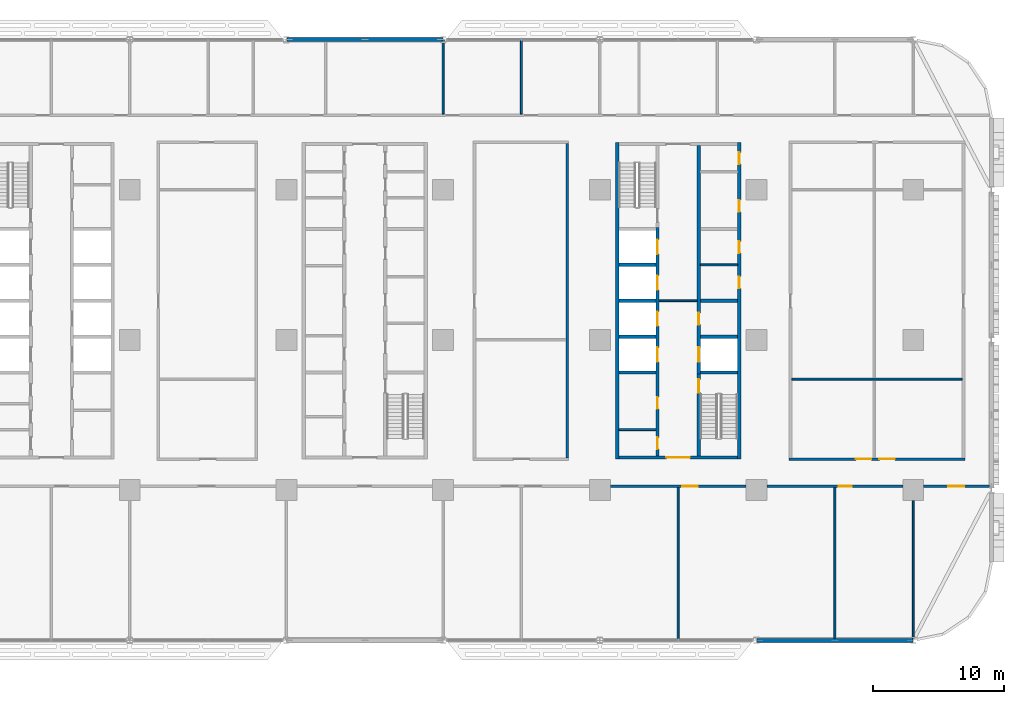
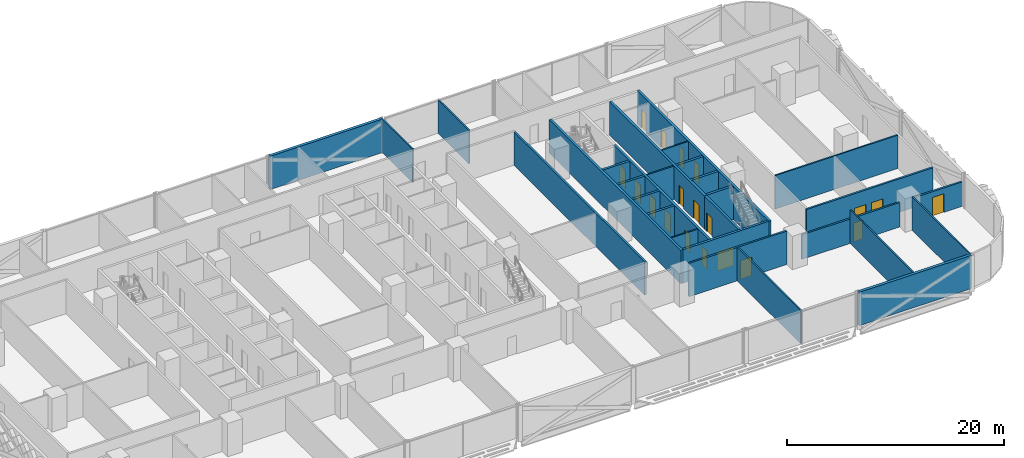
# One storey, part 14 of 29: 29 walls, 19 doors, 19 openings.
"""IFC4 building model written with IfcOpenShell, lengths in metres."""

from ifc_helpers import new_model, si_unit, direction, frame, frame_2d, origin, place, context, subcontext, project, spatial, rectangle, extrude, material, layer, layer_set, type_object, element, fill, save


model = new_model("IFC4")

# Units and contexts
model_context = context("Model", 3, precision=1e-05, world=origin(), true_north=direction((0.0, 1.0)))
body_context = subcontext(model_context, "Body", "Model", "MODEL_VIEW")
ifc_project = project(units=[si_unit("LENGTHUNIT", "METRE"), si_unit("AREAUNIT", "SQUARE_METRE"), si_unit("VOLUMEUNIT", "CUBIC_METRE"), si_unit("PLANEANGLEUNIT", "RADIAN"), si_unit("MASSUNIT", "GRAM", prefix="KILO")], contexts=[model_context])

# Site, building, storey
site_placement = place(None, origin())
site = spatial("IfcSite", under=ifc_project, at=site_placement, CompositionType="ELEMENT")
building_placement = place(site_placement, origin())
building = spatial("IfcBuilding", under=site, at=building_placement, Name="Mahtab Terrace Research Tower", CompositionType="ELEMENT")
storey_placement = place(building_placement, frame((0.0, 0.0, 37.300048828125)))
storey = spatial("IfcBuildingStorey", under=building, at=storey_placement, Name="L08", CompositionType="ELEMENT", Elevation=37.300048828125)

# Walls
ifc_material_1 = material(Name="Gypsum board partition")
ifc_layer_1 = layer(ifc_material_1, 0.14990234375)
ifc_layer_set_1 = layer_set([ifc_layer_1], Name="Core partition 150")
wall_type_1 = type_object("IfcWallType", Name="Core partition 150", PredefinedType="PARTITIONING", material=ifc_layer_set_1)
wall_1_placement = place(storey_placement, frame((22.550048828125, 3.0, 0.0), z_axis=(0.0, 0.0, 1.0), x_axis=(1.0, 0.0, 0.0)))
element("IfcWall", 1, at=wall_1_placement, inside=storey, type_object=wall_type_1, Name="Core wall C ffl", PredefinedType="PARTITIONING", context=body_context, shape_type="SweptSolid", body=[
    extrude(rectangle(XDim=2.89990234375, YDim=0.14990234375, at=frame_2d((1.449951171875, 0.0))), origin(), (0.0, 0.0, 1.0), 3.75),
])
for number, where, z_axis, x_axis, name in (
    (2, (25.699951171875, 5.75, 0.0), (0.0, 0.0, 1.0), (1.0, 0.0, 0.0), "Core wall C pEL275"),
    (3, (19.449951171875, -6.875, 0.0), (0.0, 0.0, 1.0), (1.0, 0.0, 0.0), "Core wall C pWS-988"),
):
    element("IfcWall", number, at=place(storey_placement, frame(where, z_axis=z_axis, x_axis=x_axis)), inside=storey, type_object=wall_type_1, Name=name, PredefinedType="PARTITIONING", context=body_context, shape_type="SweptSolid", body=[
        extrude(rectangle(XDim=2.85009765625, YDim=0.14990234375, at=frame_2d((1.425048828125, 0.0))), origin(), (0.0, 0.0, 1.0), 3.75),
    ])
ifc_material_2 = material(Name="Concrete C70/85", Category="concrete")
ifc_layer_2 = layer(ifc_material_2, 0.25)
ifc_layer_set_2 = layer_set([ifc_layer_2], Name="Core wall 250")
wall_type_2 = type_object("IfcWallType", Name="Core wall 250", PredefinedType="SOLIDWALL", material=ifc_layer_set_2)
wall_2_placement = place(storey_placement, frame((19.324951171875, 15.125, 0.0), z_axis=(0.0, 0.0, 1.0), x_axis=(0.0, -1.0, 0.0)))
element("IfcWall", 4, at=wall_2_placement, inside=storey, type_object=wall_type_2, Name="Core wall C outerW", PredefinedType="SOLIDWALL", context=body_context, shape_type="SweptSolid", body=[
    extrude(rectangle(XDim=24.25, YDim=0.25, at=frame_2d((12.125, 0.0))), origin(), (0.0, 0.0, 1.0), 3.75),
])

# Wall, openings, doors
wall_3_placement = place(storey_placement, frame((28.675048828125, -9.125, 0.0), z_axis=(0.0, 0.0, 1.0), x_axis=(0.0, 1.0, 0.0)))
wall_3 = element("IfcWall", 5, at=wall_3_placement, inside=storey, type_object=wall_type_2, Name="Core wall C outerE", PredefinedType="SOLIDWALL", context=body_context, shape_type="SweptSolid", body=[
    extrude(rectangle(XDim=24.25, YDim=0.25, at=frame_2d((12.125, 0.0))), origin(), (0.0, 0.0, 1.0), 3.75),
])
opening_1_placement = place(wall_3_placement, frame((13.074951171875, 0.0, 0.0)))
opening_1 = element("IfcOpeningElement", 6, at=opening_1_placement, cuts=wall_3, Name="Opening C-R2", PredefinedType="OPENING", context=body_context, shape_type="SweptSolid", body=[
    extrude(rectangle(XDim=0.89990234375, YDim=2.10009765625, at=frame_2d((0.449951171875, 1.050048828125))), frame((0.0, 0.135009765625, 0.0), z_axis=(0.0, -1.0, 0.0), x_axis=(1.0, 0.0, 0.0)), (0.0, 0.0, 1.0), 0.27001953125),
])
opening_2_placement = place(wall_3_placement, frame((15.77490234375, 0.0, 0.0)))
opening_2 = element("IfcOpeningElement", 7, at=opening_2_placement, cuts=wall_3, Name="Opening C-R3", PredefinedType="OPENING", context=body_context, shape_type="SweptSolid", body=[
    extrude(rectangle(XDim=0.89990234375, YDim=2.10009765625, at=frame_2d((0.449951171875, 1.050048828125))), frame((0.0, 0.135009765625, 0.0), z_axis=(0.0, -1.0, 0.0), x_axis=(1.0, 0.0, 0.0)), (0.0, 0.0, 1.0), 0.27001953125),
])
opening_3_placement = place(wall_3_placement, frame((18.925048828125, 0.0, 0.0)))
opening_3 = element("IfcOpeningElement", 8, at=opening_3_placement, cuts=wall_3, Name="Opening C-R6", PredefinedType="OPENING", context=body_context, shape_type="SweptSolid", body=[
    extrude(rectangle(XDim=0.89990234375, YDim=2.10009765625, at=frame_2d((0.449951171875, 1.050048828125))), frame((0.0, 0.135009765625, 0.0), z_axis=(0.0, -1.0, 0.0), x_axis=(1.0, 0.0, 0.0)), (0.0, 0.0, 1.0), 0.27001953125),
])
opening_4_placement = place(wall_3_placement, frame((22.58740234375, 0.0, 0.0)))
opening_4 = element("IfcOpeningElement", 9, at=opening_4_placement, cuts=wall_3, Name="Opening C-R7", PredefinedType="OPENING", context=body_context, shape_type="SweptSolid", body=[
    extrude(rectangle(XDim=0.89990234375, YDim=2.10009765625, at=frame_2d((0.449951171875, 1.050048828125))), frame((0.0, 0.135009765625, 0.0), z_axis=(0.0, -1.0, 0.0), x_axis=(1.0, 0.0, 0.0)), (0.0, 0.0, 1.0), 0.27001953125),
])
ifc_material_3 = material(Name="Steel fire door", Category="steel")
door_type_1 = type_object("IfcDoorType", Name="Room door 900x2100 1 HR", OperationType="NOTDEFINED", PredefinedType="DOOR", material=ifc_material_3)
door_1_placement = place(opening_1_placement, origin())
door_1 = element("IfcDoor", 10, at=door_1_placement, inside=storey, type_object=door_type_1, Name="Document store door", OperationType="SINGLE_SWING_RIGHT", OverallHeight=2.10009765625, OverallWidth=0.89990234375, PredefinedType="DOOR", context=body_context, shape_type="SweptSolid", body=[
    extrude(rectangle(XDim=0.89990234375, YDim=2.10009765625, at=frame_2d((0.449951171875, 1.050048828125))), frame((0.0, 0.02490234375, 0.0), z_axis=(0.0, -1.0, 0.0), x_axis=(1.0, 0.0, 0.0)), (0.0, 0.0, 1.0), 0.050048828125),
])
fill(opening_1, door_1)
door_2_placement = place(opening_2_placement, origin())
door_2 = element("IfcDoor", 11, at=door_2_placement, inside=storey, type_object=door_type_1, Name="IT equipment room door", OperationType="SINGLE_SWING_LEFT", OverallHeight=2.10009765625, OverallWidth=0.89990234375, PredefinedType="DOOR", context=body_context, shape_type="SweptSolid", body=[
    extrude(rectangle(XDim=0.89990234375, YDim=2.10009765625, at=frame_2d((0.449951171875, 1.050048828125))), frame((0.0, 0.02490234375, 0.0), z_axis=(0.0, -1.0, 0.0), x_axis=(1.0, 0.0, 0.0)), (0.0, 0.0, 1.0), 0.050048828125),
])
fill(opening_2, door_2)
door_3_placement = place(opening_3_placement, origin())
door_3 = element("IfcDoor", 12, at=door_3_placement, inside=storey, type_object=door_type_1, Name="IT equipment room door", OperationType="SINGLE_SWING_RIGHT", OverallHeight=2.10009765625, OverallWidth=0.89990234375, PredefinedType="DOOR", context=body_context, shape_type="SweptSolid", body=[
    extrude(rectangle(XDim=0.89990234375, YDim=2.10009765625, at=frame_2d((0.449951171875, 1.050048828125))), frame((0.0, 0.02490234375, 0.0), z_axis=(0.0, -1.0, 0.0), x_axis=(1.0, 0.0, 0.0)), (0.0, 0.0, 1.0), 0.050048828125),
])
fill(opening_3, door_3)
door_4_placement = place(opening_4_placement, origin())
door_4 = element("IfcDoor", 13, at=door_4_placement, inside=storey, type_object=door_type_1, Name="Electrical riser room door", OperationType="SINGLE_SWING_LEFT", OverallHeight=2.10009765625, OverallWidth=0.89990234375, PredefinedType="DOOR", context=body_context, shape_type="SweptSolid", body=[
    extrude(rectangle(XDim=0.89990234375, YDim=2.10009765625, at=frame_2d((0.449951171875, 1.050048828125))), frame((0.0, 0.02490234375, 0.0), z_axis=(0.0, -1.0, 0.0), x_axis=(1.0, 0.0, 0.0)), (0.0, 0.0, 1.0), 0.050048828125),
])
fill(opening_4, door_4)

# Wall, opening, door
wall_4_placement = place(storey_placement, frame((28.550048828125, -9.0, 0.0), z_axis=(0.0, 0.0, 1.0), x_axis=(-1.0, 0.0, 0.0)))
wall_4 = element("IfcWall", 14, at=wall_4_placement, inside=storey, type_object=wall_type_2, Name="Core wall C endS", PredefinedType="SOLIDWALL", context=body_context, shape_type="SweptSolid", body=[
    extrude(rectangle(XDim=9.10009765625, YDim=0.25, at=frame_2d((4.550048828125, 0.0))), origin(), (0.0, 0.0, 1.0), 3.75),
])
opening_5_placement = place(wall_4_placement, frame((3.64990234375, 0.0, 0.0)))
opening_5 = element("IfcOpeningElement", 15, at=opening_5_placement, cuts=wall_4, Name="Opening C-S1", PredefinedType="OPENING", context=body_context, shape_type="SweptSolid", body=[
    extrude(rectangle(XDim=1.800048828125, YDim=2.10009765625, at=frame_2d((0.89990234375, 1.050048828125))), frame((0.0, 0.135009765625, 0.0), z_axis=(0.0, -1.0, 0.0), x_axis=(1.0, 0.0, 0.0)), (0.0, 0.0, 1.0), 0.27001953125),
])
door_type_2 = type_object("IfcDoorType", Name="Lobby double door 1800x2100 1 HR", OperationType="DOUBLE_DOOR_SINGLE_SWING", PredefinedType="DOOR", material=ifc_material_3)
door_5_placement = place(opening_5_placement, origin())
door_5 = element("IfcDoor", 16, at=door_5_placement, inside=storey, type_object=door_type_2, Name="Core entrance door C S", OperationType="DOUBLE_DOOR_SINGLE_SWING", OverallHeight=2.10009765625, OverallWidth=1.800048828125, PredefinedType="DOOR", context=body_context, shape_type="SweptSolid", body=[
    extrude(rectangle(XDim=1.800048828125, YDim=2.10009765625, at=frame_2d((0.89990234375, 1.050048828125))), frame((0.0, 0.02490234375, 0.0), z_axis=(0.0, -1.0, 0.0), x_axis=(1.0, 0.0, 0.0)), (0.0, 0.0, 1.0), 0.050048828125),
])
fill(opening_5, door_5)

# Wall, openings, doors
wall_5_placement = place(storey_placement, frame((22.425048828125, -8.875, 0.0), z_axis=(0.0, 0.0, 1.0), x_axis=(0.0, 1.0, 0.0)))
wall_5 = element("IfcWall", 17, at=wall_5_placement, inside=storey, type_object=wall_type_2, Name="Core wall C innerWSL", PredefinedType="SOLIDWALL", context=body_context, shape_type="SweptSolid", body=[
    extrude(rectangle(XDim=17.5, YDim=0.25, at=frame_2d((8.75, 0.0))), origin(), (0.0, 0.0, 1.0), 3.75),
])
opening_6_placement = place(wall_5_placement, frame((7.199951171875, 0.0, 0.0)))
opening_6 = element("IfcOpeningElement", 18, at=opening_6_placement, cuts=wall_5, Name="Opening LD17-L08", PredefinedType="OPENING", context=body_context, shape_type="SweptSolid", body=[
    extrude(rectangle(XDim=1.10009765625, YDim=2.10009765625, at=frame_2d((0.550048828125, 1.050048828125))), frame((0.0, 0.135009765625, 0.0), z_axis=(0.0, -1.0, 0.0), x_axis=(1.0, 0.0, 0.0)), (0.0, 0.0, 1.0), 0.27001953125),
])
opening_7_placement = place(wall_5_placement, frame((9.949951171875, 0.0, 0.0)))
opening_7 = element("IfcOpeningElement", 19, at=opening_7_placement, cuts=wall_5, Name="Opening LD18-L08", PredefinedType="OPENING", context=body_context, shape_type="SweptSolid", body=[
    extrude(rectangle(XDim=1.10009765625, YDim=2.10009765625, at=frame_2d((0.550048828125, 1.050048828125))), frame((0.0, 0.135009765625, 0.0), z_axis=(0.0, -1.0, 0.0), x_axis=(1.0, 0.0, 0.0)), (0.0, 0.0, 1.0), 0.27001953125),
])
opening_8_placement = place(wall_5_placement, frame((12.699951171875, 0.0, 0.0)))
opening_8 = element("IfcOpeningElement", 20, at=opening_8_placement, cuts=wall_5, Name="Opening LD19-L08", PredefinedType="OPENING", context=body_context, shape_type="SweptSolid", body=[
    extrude(rectangle(XDim=1.10009765625, YDim=2.10009765625, at=frame_2d((0.550048828125, 1.050048828125))), frame((0.0, 0.135009765625, 0.0), z_axis=(0.0, -1.0, 0.0), x_axis=(1.0, 0.0, 0.0)), (0.0, 0.0, 1.0), 0.27001953125),
])
opening_9_placement = place(wall_5_placement, frame((15.449951171875, 0.0, 0.0)))
opening_9 = element("IfcOpeningElement", 21, at=opening_9_placement, cuts=wall_5, Name="Opening LD20-L08", PredefinedType="OPENING", context=body_context, shape_type="SweptSolid", body=[
    extrude(rectangle(XDim=1.10009765625, YDim=2.10009765625, at=frame_2d((0.550048828125, 1.050048828125))), frame((0.0, 0.135009765625, 0.0), z_axis=(0.0, -1.0, 0.0), x_axis=(1.0, 0.0, 0.0)), (0.0, 0.0, 1.0), 0.27001953125),
])
opening_10_placement = place(wall_5_placement, frame((0.512451171875, 0.0, 0.0)))
opening_10 = element("IfcOpeningElement", 22, at=opening_10_placement, cuts=wall_5, Name="Opening C-R4", PredefinedType="OPENING", context=body_context, shape_type="SweptSolid", body=[
    extrude(rectangle(XDim=0.89990234375, YDim=2.10009765625, at=frame_2d((0.449951171875, 1.050048828125))), frame((0.0, 0.135009765625, 0.0), z_axis=(0.0, -1.0, 0.0), x_axis=(1.0, 0.0, 0.0)), (0.0, 0.0, 1.0), 0.27001953125),
])
opening_11_placement = place(wall_5_placement, frame((3.58740234375, 0.0, 0.0)))
opening_11 = element("IfcOpeningElement", 23, at=opening_11_placement, cuts=wall_5, Name="Opening C-R5", PredefinedType="OPENING", context=body_context, shape_type="SweptSolid", body=[
    extrude(rectangle(XDim=0.89990234375, YDim=2.10009765625, at=frame_2d((0.449951171875, 1.050048828125))), frame((0.0, 0.135009765625, 0.0), z_axis=(0.0, -1.0, 0.0), x_axis=(1.0, 0.0, 0.0)), (0.0, 0.0, 1.0), 0.27001953125),
])
ifc_material_4 = material(Name="Stainless steel AISI 304", Category="steel")
door_type_3 = type_object("IfcDoorType", Name="Landing door 1100x2100", OperationType="DOUBLE_DOOR_SLIDING", PredefinedType="DOOR", material=ifc_material_4)
door_6_placement = place(opening_6_placement, origin())
door_6 = element("IfcDoor", 24, at=door_6_placement, inside=storey, type_object=door_type_3, Name="Landing door SV1 L08", OperationType="DOUBLE_DOOR_SLIDING", OverallHeight=2.10009765625, OverallWidth=1.10009765625, PredefinedType="DOOR", context=body_context, shape_type="SweptSolid", body=[
    extrude(rectangle(XDim=1.10009765625, YDim=2.10009765625, at=frame_2d((0.550048828125, 1.050048828125))), frame((0.0, 0.02490234375, 0.0), z_axis=(0.0, -1.0, 0.0), x_axis=(1.0, 0.0, 0.0)), (0.0, 0.0, 1.0), 0.050048828125),
])
fill(opening_6, door_6)
door_7_placement = place(opening_7_placement, origin())
door_7 = element("IfcDoor", 25, at=door_7_placement, inside=storey, type_object=door_type_3, Name="Landing door SV2 L08", OperationType="DOUBLE_DOOR_SLIDING", OverallHeight=2.10009765625, OverallWidth=1.10009765625, PredefinedType="DOOR", context=body_context, shape_type="SweptSolid", body=[
    extrude(rectangle(XDim=1.10009765625, YDim=2.10009765625, at=frame_2d((0.550048828125, 1.050048828125))), frame((0.0, 0.02490234375, 0.0), z_axis=(0.0, -1.0, 0.0), x_axis=(1.0, 0.0, 0.0)), (0.0, 0.0, 1.0), 0.050048828125),
])
fill(opening_7, door_7)
door_8_placement = place(opening_8_placement, origin())
door_8 = element("IfcDoor", 26, at=door_8_placement, inside=storey, type_object=door_type_3, Name="Landing door FF1 L08", OperationType="DOUBLE_DOOR_SLIDING", OverallHeight=2.10009765625, OverallWidth=1.10009765625, PredefinedType="DOOR", context=body_context, shape_type="SweptSolid", body=[
    extrude(rectangle(XDim=1.10009765625, YDim=2.10009765625, at=frame_2d((0.550048828125, 1.050048828125))), frame((0.0, 0.02490234375, 0.0), z_axis=(0.0, -1.0, 0.0), x_axis=(1.0, 0.0, 0.0)), (0.0, 0.0, 1.0), 0.050048828125),
])
fill(opening_8, door_8)
door_9_placement = place(opening_9_placement, origin())
door_9 = element("IfcDoor", 27, at=door_9_placement, inside=storey, type_object=door_type_3, Name="Landing door FF2 L08", OperationType="DOUBLE_DOOR_SLIDING", OverallHeight=2.10009765625, OverallWidth=1.10009765625, PredefinedType="DOOR", context=body_context, shape_type="SweptSolid", body=[
    extrude(rectangle(XDim=1.10009765625, YDim=2.10009765625, at=frame_2d((0.550048828125, 1.050048828125))), frame((0.0, 0.02490234375, 0.0), z_axis=(0.0, -1.0, 0.0), x_axis=(1.0, 0.0, 0.0)), (0.0, 0.0, 1.0), 0.050048828125),
])
fill(opening_9, door_9)
door_10_placement = place(opening_10_placement, origin())
door_10 = element("IfcDoor", 28, at=door_10_placement, inside=storey, type_object=door_type_1, Name="Accessible WC door", OperationType="SINGLE_SWING_RIGHT", OverallHeight=2.10009765625, OverallWidth=0.89990234375, PredefinedType="DOOR", context=body_context, shape_type="SweptSolid", body=[
    extrude(rectangle(XDim=0.89990234375, YDim=2.10009765625, at=frame_2d((0.449951171875, 1.050048828125))), frame((0.0, 0.02490234375, 0.0), z_axis=(0.0, -1.0, 0.0), x_axis=(1.0, 0.0, 0.0)), (0.0, 0.0, 1.0), 0.050048828125),
])
fill(opening_10, door_10)
door_11_placement = place(opening_11_placement, origin())
door_11 = element("IfcDoor", 29, at=door_11_placement, inside=storey, type_object=door_type_1, Name="WC block door", OperationType="SINGLE_SWING_LEFT", OverallHeight=2.10009765625, OverallWidth=0.89990234375, PredefinedType="DOOR", context=body_context, shape_type="SweptSolid", body=[
    extrude(rectangle(XDim=0.89990234375, YDim=2.10009765625, at=frame_2d((0.449951171875, 1.050048828125))), frame((0.0, 0.02490234375, 0.0), z_axis=(0.0, -1.0, 0.0), x_axis=(1.0, 0.0, 0.0)), (0.0, 0.0, 1.0), 0.050048828125),
])
fill(opening_11, door_11)

# Wall, opening, door
wall_6_placement = place(storey_placement, frame((25.574951171875, -8.875, 0.0), z_axis=(0.0, 0.0, 1.0), x_axis=(0.0, 1.0, 0.0)))
wall_6 = element("IfcWall", 30, at=wall_6_placement, inside=storey, type_object=wall_type_2, Name="Core wall C innerES", PredefinedType="SOLIDWALL", context=body_context, shape_type="SweptSolid", body=[
    extrude(rectangle(XDim=6.25, YDim=0.25, at=frame_2d((3.125, 0.0))), origin(), (0.0, 0.0, 1.0), 3.75),
])
opening_12_placement = place(wall_6_placement, frame((4.85009765625, 0.0, 0.0)))
opening_12 = element("IfcOpeningElement", 31, at=opening_12_placement, cuts=wall_6, Name="Opening C-ST4", PredefinedType="OPENING", context=body_context, shape_type="SweptSolid", body=[
    extrude(rectangle(XDim=1.0, YDim=2.10009765625, at=frame_2d((0.5, 1.050048828125))), frame((0.0, 0.135009765625, 0.0), z_axis=(0.0, -1.0, 0.0), x_axis=(1.0, 0.0, 0.0)), (0.0, 0.0, 1.0), 0.27001953125),
])
door_type_4 = type_object("IfcDoorType", Name="Stair door 1000x2100 1.5 HR", OperationType="NOTDEFINED", PredefinedType="DOOR", material=ifc_material_3)
door_12_placement = place(opening_12_placement, origin())
door_12 = element("IfcDoor", 32, at=door_12_placement, inside=storey, type_object=door_type_4, Name="Stair door ST4 L08", OperationType="SINGLE_SWING_LEFT", OverallHeight=2.10009765625, OverallWidth=1.0, PredefinedType="DOOR", context=body_context, shape_type="SweptSolid", body=[
    extrude(rectangle(XDim=1.0, YDim=2.10009765625, at=frame_2d((0.5, 1.050048828125))), frame((0.0, 0.02490234375, 0.0), z_axis=(0.0, -1.0, 0.0), x_axis=(1.0, 0.0, 0.0)), (0.0, 0.0, 1.0), 0.050048828125),
])
fill(opening_12, door_12)

# Wall, openings, doors
wall_7_placement = place(storey_placement, frame((25.574951171875, 14.875, 0.0), z_axis=(0.0, 0.0, 1.0), x_axis=(0.0, -1.0, 0.0)))
wall_7 = element("IfcWall", 33, at=wall_7_placement, inside=storey, type_object=wall_type_2, Name="Core wall C innerELN", PredefinedType="SOLIDWALL", context=body_context, shape_type="SweptSolid", body=[
    extrude(rectangle(XDim=17.5, YDim=0.25, at=frame_2d((8.75, 0.0))), origin(), (0.0, 0.0, 1.0), 3.75),
])
opening_13_placement = place(wall_7_placement, frame((15.449951171875, 0.0, 0.0)))
opening_13 = element("IfcOpeningElement", 34, at=opening_13_placement, cuts=wall_7, Name="Opening LD21-L08", PredefinedType="OPENING", context=body_context, shape_type="SweptSolid", body=[
    extrude(rectangle(XDim=1.10009765625, YDim=2.10009765625, at=frame_2d((0.550048828125, 1.050048828125))), frame((0.0, 0.135009765625, 0.0), z_axis=(0.0, -1.0, 0.0), x_axis=(1.0, 0.0, 0.0)), (0.0, 0.0, 1.0), 0.27001953125),
])
opening_14_placement = place(wall_7_placement, frame((12.800048828125, 0.0, 0.0)))
opening_14 = element("IfcOpeningElement", 35, at=opening_14_placement, cuts=wall_7, Name="Opening C-R1", PredefinedType="OPENING", context=body_context, shape_type="SweptSolid", body=[
    extrude(rectangle(XDim=0.89990234375, YDim=2.10009765625, at=frame_2d((0.449951171875, 1.050048828125))), frame((0.0, 0.135009765625, 0.0), z_axis=(0.0, -1.0, 0.0), x_axis=(1.0, 0.0, 0.0)), (0.0, 0.0, 1.0), 0.27001953125),
])
door_13_placement = place(opening_13_placement, origin())
door_13 = element("IfcDoor", 36, at=door_13_placement, inside=storey, type_object=door_type_3, Name="Landing door SV3 L08", OperationType="DOUBLE_DOOR_SLIDING", OverallHeight=2.10009765625, OverallWidth=1.10009765625, PredefinedType="DOOR", context=body_context, shape_type="SweptSolid", body=[
    extrude(rectangle(XDim=1.10009765625, YDim=2.10009765625, at=frame_2d((0.550048828125, 1.050048828125))), frame((0.0, 0.02490234375, 0.0), z_axis=(0.0, -1.0, 0.0), x_axis=(1.0, 0.0, 0.0)), (0.0, 0.0, 1.0), 0.050048828125),
])
fill(opening_13, door_13)
door_14_placement = place(opening_14_placement, origin())
door_14 = element("IfcDoor", 37, at=door_14_placement, inside=storey, type_object=door_type_1, Name="Plant room door", OperationType="SINGLE_SWING_LEFT", OverallHeight=2.10009765625, OverallWidth=0.89990234375, PredefinedType="DOOR", context=body_context, shape_type="SweptSolid", body=[
    extrude(rectangle(XDim=0.89990234375, YDim=2.10009765625, at=frame_2d((0.449951171875, 1.050048828125))), frame((0.0, 0.02490234375, 0.0), z_axis=(0.0, -1.0, 0.0), x_axis=(1.0, 0.0, 0.0)), (0.0, 0.0, 1.0), 0.050048828125),
])
fill(opening_14, door_14)

# Walls
for number, where, z_axis, x_axis, name in (
    (38, (19.449951171875, -2.5, 0.0), (0.0, 0.0, 1.0), (1.0, 0.0, 0.0), "Core wall C divW0"),
    (39, (19.449951171875, 0.25, 0.0), (0.0, 0.0, 1.0), (1.0, 0.0, 0.0), "Core wall C divW1"),
    (40, (19.449951171875, 3.0, 0.0), (0.0, 0.0, 1.0), (1.0, 0.0, 0.0), "Core wall C divW2"),
    (41, (19.449951171875, 5.75, 0.0), (0.0, 0.0, 1.0), (1.0, 0.0, 0.0), "Core wall C divW3"),
    (42, (25.699951171875, -2.5, 0.0), (0.0, 0.0, 1.0), (1.0, 0.0, 0.0), "Core wall C divE0"),
    (43, (25.699951171875, 0.25, 0.0), (0.0, 0.0, 1.0), (1.0, 0.0, 0.0), "Core wall C divE1"),
    (44, (25.699951171875, 3.0, 0.0), (0.0, 0.0, 1.0), (1.0, 0.0, 0.0), "Core wall C divE2"),
):
    element("IfcWall", number, at=place(storey_placement, frame(where, z_axis=z_axis, x_axis=x_axis)), inside=storey, type_object=wall_type_2, Name=name, PredefinedType="SOLIDWALL", context=body_context, shape_type="SweptSolid", body=[
        extrude(rectangle(XDim=2.85009765625, YDim=0.25, at=frame_2d((1.425048828125, 0.0))), origin(), (0.0, 0.0, 1.0), 3.75),
    ])
ifc_material_5 = material(Name="Black aluminium cladding panel", Category="aluminium")
ifc_layer_3 = layer(ifc_material_5, 0.300048828125)
ifc_layer_set_3 = layer_set([ifc_layer_3], Name="Opaque facade wall 300")
wall_type_3 = type_object("IfcWallType", Name="Opaque facade wall 300", PredefinedType="NOTDEFINED", material=ifc_layer_set_3)
for number, where, z_axis, x_axis, name in (
    (45, (5.97216796875, 23.0, 0.0), (0.0, 0.0, 1.0), (-1.0, 0.0, 0.0), "Opaque facade wall L08 N6"),
    (46, (30.02783203125, -23.0, 0.0), (0.0, 0.0, 1.0), (1.0, 0.0, 0.0), "Opaque facade wall L08 S28"),
):
    element("IfcWall", number, at=place(storey_placement, frame(where, z_axis=z_axis, x_axis=x_axis)), inside=storey, type_object=wall_type_3, Name=name, PredefinedType="NOTDEFINED", context=body_context, shape_type="SweptSolid", body=[
        extrude(rectangle(XDim=11.9443359375, YDim=0.300048828125, at=frame_2d((5.97216796875, 0.0))), origin(), (0.0, 0.0, 1.0), 3.75),
    ])

# Wall, opening, door
ifc_material_6 = material(Name="Gypsum board corridor wall on steel studs", Category="steel")
ifc_layer_4 = layer(ifc_material_6, 0.199951171875)
ifc_layer_set_4 = layer_set([ifc_layer_4], Name="WALL CORRIDOR 200")
wall_type_4 = type_object("IfcWallType", Name="WALL CORRIDOR 200", PredefinedType="PARTITIONING", material=ifc_layer_set_4)
wall_8_placement = place(storey_placement, frame((18.800048828125, -11.199951171875, 0.0), z_axis=(0.0, 0.0, 1.0), x_axis=(1.0, 0.0, 0.0)))
wall_8 = element("IfcWall", 47, at=wall_8_placement, inside=storey, type_object=wall_type_4, Name="L08-W007", PredefinedType="PARTITIONING", context=body_context, shape_type="SweptSolid", body=[
    extrude(rectangle(XDim=10.39990234375, YDim=0.199951171875, at=frame_2d((5.199951171875, 0.0))), origin(), (0.0, 0.0, 1.0), 3.75),
])
opening_15_placement = place(wall_8_placement, frame((5.5, 0.0, 0.0)))
opening_15 = element("IfcOpeningElement", 48, at=opening_15_placement, cuts=wall_8, Name="Opening L08-108", PredefinedType="OPENING", context=body_context, shape_type="SweptSolid", body=[
    extrude(rectangle(XDim=1.199951171875, YDim=2.10009765625, at=frame_2d((0.60009765625, 1.050048828125))), frame((0.0, 0.10986328125, 0.0), z_axis=(0.0, -1.0, 0.0), x_axis=(1.0, 0.0, 0.0)), (0.0, 0.0, 1.0), 0.219970703125),
])
ifc_material_7 = material(Name="Timber door leaf in steel frame", Category="steel")
door_type_5 = type_object("IfcDoorType", Name="DOOR 1200X2100 FD30S", OperationType="SINGLE_SWING_LEFT", PredefinedType="DOOR", material=ifc_material_7)
door_15_placement = place(opening_15_placement, origin())
door_15 = element("IfcDoor", 49, at=door_15_placement, inside=storey, type_object=door_type_5, Name="Door L08-108", OperationType="SINGLE_SWING_LEFT", OverallHeight=2.10009765625, OverallWidth=1.199951171875, PredefinedType="DOOR", context=body_context, shape_type="SweptSolid", body=[
    extrude(rectangle(XDim=1.199951171875, YDim=2.10009765625, at=frame_2d((0.60009765625, 1.050048828125))), frame((0.0, 0.02490234375, 0.0), z_axis=(0.0, -1.0, 0.0), x_axis=(1.0, 0.0, 0.0)), (0.0, 0.0, 1.0), 0.050048828125),
])
fill(opening_15, door_15)

wall_9_placement = place(storey_placement, frame((30.800048828125, -11.199951171875, 0.0), z_axis=(0.0, 0.0, 1.0), x_axis=(1.0, 0.0, 0.0)))
wall_9 = element("IfcWall", 50, at=wall_9_placement, inside=storey, type_object=wall_type_4, Name="L08-W008", PredefinedType="PARTITIONING", context=body_context, shape_type="SweptSolid", body=[
    extrude(rectangle(XDim=10.39990234375, YDim=0.199951171875, at=frame_2d((5.199951171875, 0.0))), origin(), (0.0, 0.0, 1.0), 2.751220703125),
])
opening_16_placement = place(wall_9_placement, frame((5.5, 0.0, 0.0)))
opening_16 = element("IfcOpeningElement", 51, at=opening_16_placement, cuts=wall_9, Name="Opening L08-109", PredefinedType="OPENING", context=body_context, shape_type="SweptSolid", body=[
    extrude(rectangle(XDim=1.0, YDim=2.10009765625, at=frame_2d((0.5, 1.050048828125))), frame((0.0, 0.10986328125, 0.0), z_axis=(0.0, -1.0, 0.0), x_axis=(1.0, 0.0, 0.0)), (0.0, 0.0, 1.0), 0.219970703125),
])
door_type_6 = type_object("IfcDoorType", Name="DOOR 1000X2100 FD30S", OperationType="SINGLE_SWING_LEFT", PredefinedType="DOOR", material=ifc_material_7)
door_16_placement = place(opening_16_placement, origin())
door_16 = element("IfcDoor", 52, at=door_16_placement, inside=storey, type_object=door_type_6, Name="Door L08-109", OperationType="SINGLE_SWING_LEFT", OverallHeight=2.10009765625, OverallWidth=1.0, PredefinedType="DOOR", context=body_context, shape_type="SweptSolid", body=[
    extrude(rectangle(XDim=1.0, YDim=2.10009765625, at=frame_2d((0.5, 1.050048828125))), frame((0.0, 0.02490234375, 0.0), z_axis=(0.0, -1.0, 0.0), x_axis=(1.0, 0.0, 0.0)), (0.0, 0.0, 1.0), 0.050048828125),
])
fill(opening_16, door_16)

wall_10_placement = place(storey_placement, frame((42.800048828125, -11.199951171875, 0.0), z_axis=(0.0, 0.0, 1.0), x_axis=(1.0, 0.0, 0.0)))
wall_10 = element("IfcWall", 53, at=wall_10_placement, inside=storey, type_object=wall_type_4, Name="L08-W009", PredefinedType="PARTITIONING", context=body_context, shape_type="SweptSolid", body=[
    extrude(rectangle(XDim=5.050048828125, YDim=0.199951171875, at=frame_2d((2.52490234375, 0.0))), origin(), (0.0, 0.0, 1.0), 2.751220703125),
])
opening_17_placement = place(wall_10_placement, frame((1.89990234375, 0.0, 0.0)))
opening_17 = element("IfcOpeningElement", 54, at=opening_17_placement, cuts=wall_10, Name="Opening L08-110", PredefinedType="OPENING", context=body_context, shape_type="SweptSolid", body=[
    extrude(rectangle(XDim=1.199951171875, YDim=2.10009765625, at=frame_2d((0.60009765625, 1.050048828125))), frame((0.0, 0.10986328125, 0.0), z_axis=(0.0, -1.0, 0.0), x_axis=(1.0, 0.0, 0.0)), (0.0, 0.0, 1.0), 0.219970703125),
])
door_17_placement = place(opening_17_placement, origin())
door_17 = element("IfcDoor", 55, at=door_17_placement, inside=storey, type_object=door_type_5, Name="Door L08-110", OperationType="SINGLE_SWING_RIGHT", OverallHeight=2.10009765625, OverallWidth=1.199951171875, PredefinedType="DOOR", context=body_context, shape_type="SweptSolid", body=[
    extrude(rectangle(XDim=1.199951171875, YDim=2.10009765625, at=frame_2d((0.60009765625, 1.050048828125))), frame((0.0, 0.02490234375, 0.0), z_axis=(0.0, -1.0, 0.0), x_axis=(1.0, 0.0, 0.0)), (0.0, 0.0, 1.0), 0.050048828125),
])
fill(opening_17, door_17)

# Wall, openings, doors
wall_11_placement = place(storey_placement, frame((32.5, -9.125, 0.0), z_axis=(0.0, 0.0, 1.0), x_axis=(1.0, 0.0, 0.0)))
wall_11 = element("IfcWall", 56, at=wall_11_placement, inside=storey, type_object=wall_type_4, Name="L08-W013", PredefinedType="PARTITIONING", context=body_context, shape_type="SweptSolid", body=[
    extrude(rectangle(XDim=13.449951171875, YDim=0.199951171875, at=frame_2d((6.72509765625, 0.0))), origin(), (0.0, 0.0, 1.0), 3.75),
])
opening_18_placement = place(wall_11_placement, frame((5.10009765625, 0.0, 0.0)))
opening_18 = element("IfcOpeningElement", 57, at=opening_18_placement, cuts=wall_11, Name="Opening L08-112", PredefinedType="OPENING", context=body_context, shape_type="SweptSolid", body=[
    extrude(rectangle(XDim=1.199951171875, YDim=2.10009765625, at=frame_2d((0.60009765625, 1.050048828125))), frame((0.0, 0.10986328125, 0.0), z_axis=(0.0, -1.0, 0.0), x_axis=(1.0, 0.0, 0.0)), (0.0, 0.0, 1.0), 0.219970703125),
])
opening_19_placement = place(wall_11_placement, frame((6.89990234375, 0.0, 0.0)))
opening_19 = element("IfcOpeningElement", 58, at=opening_19_placement, cuts=wall_11, Name="Opening L08-113", PredefinedType="OPENING", context=body_context, shape_type="SweptSolid", body=[
    extrude(rectangle(XDim=1.199951171875, YDim=2.10009765625, at=frame_2d((0.60009765625, 1.050048828125))), frame((0.0, 0.10986328125, 0.0), z_axis=(0.0, -1.0, 0.0), x_axis=(1.0, 0.0, 0.0)), (0.0, 0.0, 1.0), 0.219970703125),
])
door_18_placement = place(opening_18_placement, origin())
door_18 = element("IfcDoor", 59, at=door_18_placement, inside=storey, type_object=door_type_5, Name="Door L08-112", OperationType="SINGLE_SWING_LEFT", OverallHeight=2.10009765625, OverallWidth=1.199951171875, PredefinedType="DOOR", context=body_context, shape_type="SweptSolid", body=[
    extrude(rectangle(XDim=1.199951171875, YDim=2.10009765625, at=frame_2d((0.60009765625, 1.050048828125))), frame((0.0, 0.02490234375, 0.0), z_axis=(0.0, -1.0, 0.0), x_axis=(1.0, 0.0, 0.0)), (0.0, 0.0, 1.0), 0.050048828125),
])
fill(opening_18, door_18)
door_19_placement = place(opening_19_placement, origin())
door_19 = element("IfcDoor", 60, at=door_19_placement, inside=storey, type_object=door_type_5, Name="Door L08-113", OperationType="SINGLE_SWING_RIGHT", OverallHeight=2.10009765625, OverallWidth=1.199951171875, PredefinedType="DOOR", context=body_context, shape_type="SweptSolid", body=[
    extrude(rectangle(XDim=1.199951171875, YDim=2.10009765625, at=frame_2d((0.60009765625, 1.050048828125))), frame((0.0, 0.02490234375, 0.0), z_axis=(0.0, -1.0, 0.0), x_axis=(1.0, 0.0, 0.0)), (0.0, 0.0, 1.0), 0.050048828125),
])
fill(opening_19, door_19)

# Walls
wall_12_placement = place(storey_placement, frame((15.5, -9.02490234375, 0.0), z_axis=(0.0, 0.0, 1.0), x_axis=(0.0, 1.0, 0.0)))
element("IfcWall", 61, at=wall_12_placement, inside=storey, type_object=wall_type_4, Name="L08-W049", PredefinedType="PARTITIONING", context=body_context, shape_type="SweptSolid", body=[
    extrude(rectangle(XDim=24.0498046875, YDim=0.199951171875, at=frame_2d((12.02490234375, 0.0))), origin(), (0.0, 0.0, 1.0), 3.75),
])
ifc_material_8 = material(Name="Gypsum board partition on steel studs", Category="steel")
ifc_layer_5 = layer(ifc_material_8, 0.14990234375)
ifc_layer_set_5 = layer_set([ifc_layer_5], Name="WALL PARTITION 150")
wall_type_5 = type_object("IfcWallType", Name="WALL PARTITION 150", PredefinedType="PARTITIONING", material=ifc_layer_set_5)
wall_13_placement = place(storey_placement, frame((32.699951171875, -3.0, 0.0), z_axis=(0.0, 0.0, 1.0), x_axis=(1.0, 0.0, 0.0)))
element("IfcWall", 62, at=wall_13_placement, inside=storey, type_object=wall_type_5, Name="L08-W015", PredefinedType="PARTITIONING", context=body_context, shape_type="SweptSolid", body=[
    extrude(rectangle(XDim=13.050048828125, YDim=0.14990234375, at=frame_2d((6.52490234375, 0.0))), origin(), (0.0, 0.0, 1.0), 3.75),
])
for number, where, z_axis, x_axis, name in (
    (63, (6.0, 17.300048828125, 0.0), (0.0, 0.0, 1.0), (0.0, 1.0, 0.0), "L08-W045"),
    (64, (12.0, 17.300048828125, 0.0), (0.0, 0.0, 1.0), (0.0, 1.0, 0.0), "L08-W048"),
):
    element("IfcWall", number, at=place(storey_placement, frame(where, z_axis=z_axis, x_axis=x_axis)), inside=storey, type_object=wall_type_5, Name=name, PredefinedType="PARTITIONING", context=body_context, shape_type="SweptSolid", body=[
        extrude(rectangle(XDim=5.675048828125, YDim=0.14990234375, at=frame_2d((2.83740234375, 0.0))), origin(), (0.0, 0.0, 1.0), 3.75),
    ])
wall_14_placement = place(storey_placement, frame((24.0, -22.97509765625, 0.0), z_axis=(0.0, 0.0, 1.0), x_axis=(0.0, 1.0, 0.0)))
element("IfcWall", 65, at=wall_14_placement, inside=storey, type_object=wall_type_5, Name="L08-W052", PredefinedType="PARTITIONING", context=body_context, shape_type="SweptSolid", body=[
    extrude(rectangle(XDim=11.675048828125, YDim=0.14990234375, at=frame_2d((5.83740234375, 0.0))), origin(), (0.0, 0.0, 1.0), 3.75),
])
wall_15_placement = place(storey_placement, frame((36.0, -22.85009765625, 0.0), z_axis=(0.0, 0.0, 1.0), x_axis=(0.0, 1.0, 0.0)))
element("IfcWall", 66, at=wall_15_placement, inside=storey, type_object=wall_type_5, Name="L08-W055", PredefinedType="PARTITIONING", context=body_context, shape_type="SweptSolid", body=[
    extrude(rectangle(XDim=11.550048828125, YDim=0.14990234375, at=frame_2d((5.77490234375, 0.0))), origin(), (0.0, 0.0, 1.0), 3.75),
])
wall_16_placement = place(storey_placement, frame((42.0, -22.84716796875, 0.0), z_axis=(0.0, 0.0, 1.0), x_axis=(0.0, 1.0, 0.0)))
element("IfcWall", 67, at=wall_16_placement, inside=storey, type_object=wall_type_5, Name="L08-W058", PredefinedType="PARTITIONING", context=body_context, shape_type="SweptSolid", body=[
    extrude(rectangle(XDim=10.547119140625, YDim=0.14990234375, at=frame_2d((5.2734375, 0.0))), origin(), (0.0, 0.0, 1.0), 3.75),
])

save(model, "model.ifc")
